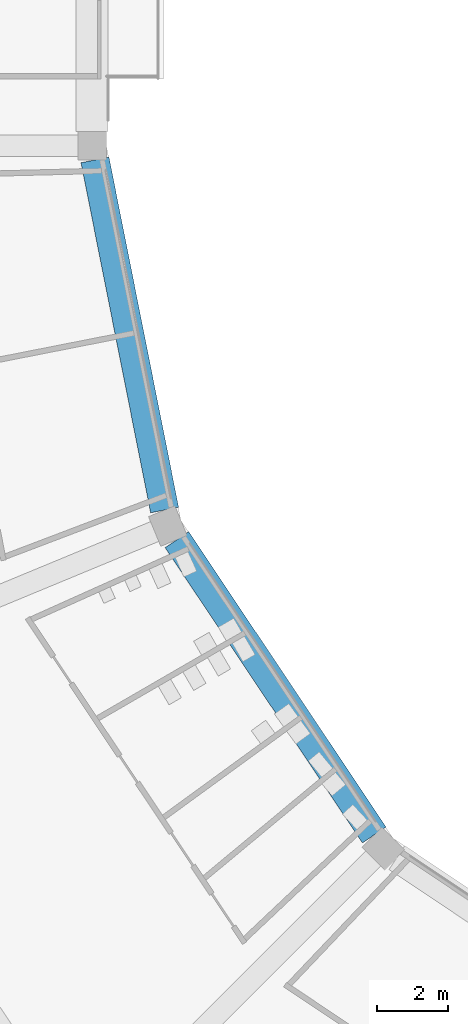
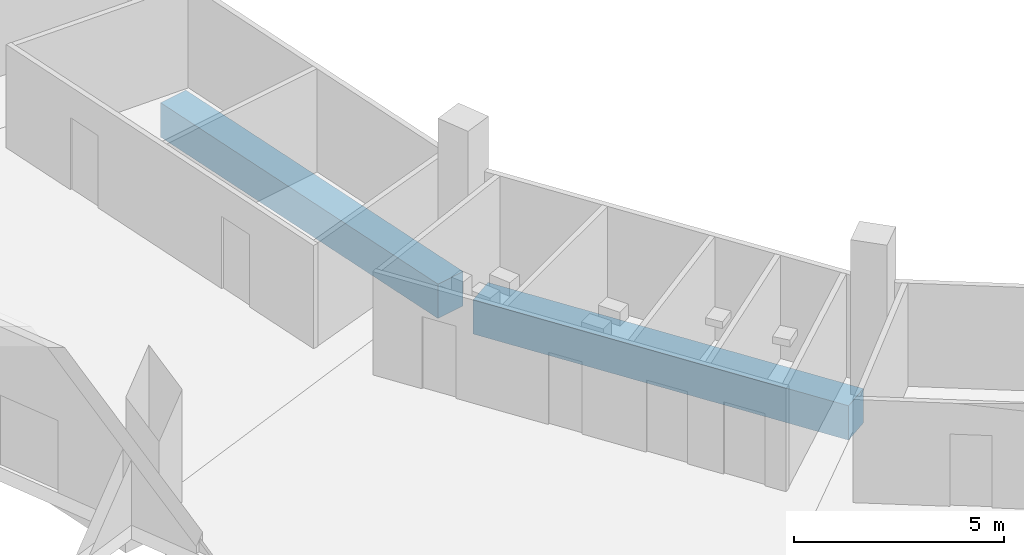
# One storey, part 9 of 199: 2 beams.
"""IFC4 building model written with IfcOpenShell, lengths in metres."""

from ifc_helpers import new_model, si_unit, direction, frame, origin, origin_2d, place, context, subcontext, project, spatial, rectangle, extrude, material, material_profile, profile_set, type_object, element, save


model = new_model("IFC4")

# Units and contexts
model_context = context("Model", 3, precision=1e-05, world=origin(), true_north=direction((0.0, 1.0)))
body_context = subcontext(model_context, "Body", "Model", "MODEL_VIEW")
ifc_project = project(units=[si_unit("LENGTHUNIT", "METRE"), si_unit("AREAUNIT", "SQUARE_METRE"), si_unit("VOLUMEUNIT", "CUBIC_METRE"), si_unit("PLANEANGLEUNIT", "RADIAN"), si_unit("MASSUNIT", "GRAM", prefix="KILO")], contexts=[model_context])

# Site, building, storey
site_placement = place(None, origin())
site = spatial("IfcSite", under=ifc_project, at=site_placement, CompositionType="ELEMENT")
building_placement = place(site_placement, origin())
building = spatial("IfcBuilding", under=site, at=building_placement, Name="Ogive Plaza Stadium", CompositionType="ELEMENT")
storey_placement = place(building_placement, frame((0.0, 0.0, 9.0)))
storey = spatial("IfcBuildingStorey", under=building, at=storey_placement, Name="L02", CompositionType="ELEMENT", Elevation=9.0)

# Beams
ifc_material = material(Name="Concrete C40/50", Category="concrete")
ifc_material_profile = material_profile(ifc_material, rectangle(XDim=0.800048828125, YDim=1.0, at=origin_2d()), Name="RC 800x1000")
ifc_profile_set = profile_set([ifc_material_profile], Name="Concrete C40/50")
beam_type = type_object("IfcBeamType", Name="RC ring beam 800x1000", PredefinedType="BEAM", material=ifc_profile_set)
beam_1_placement = place(storey_placement, frame((-53.983154296875, -71.8466796875, -0.909912109375), z_axis=(-0.555570290949, 0.831469573595, 0.0), x_axis=(-0.831469573595, -0.555570290949, 0.0)))
element("IfcBeam", 1, at=beam_1_placement, inside=storey, type_object=beam_type, Name="Ring beam F3 L02 B19", PredefinedType="BEAM", context=body_context, shape_type="SweptSolid", body=[
    extrude(rectangle(XDim=0.800048828125, YDim=1.0, at=origin_2d()), origin(), (0.0, 0.0, 1.0), 9.96826171875),
])
beam_2_placement = place(storey_placement, frame((-59.86572265625, -62.726806640625, -0.909912109375), z_axis=(-0.195103876937, 0.980782584064, 0.0), x_axis=(-0.980782584064, -0.195103876937, 0.0)))
element("IfcBeam", 2, at=beam_2_placement, inside=storey, type_object=beam_type, Name="Ring beam F3 L02 B20", PredefinedType="BEAM", context=body_context, shape_type="SweptSolid", body=[
    extrude(rectangle(XDim=0.800048828125, YDim=1.0, at=origin_2d()), origin(), (0.0, 0.0, 1.0), 10.01953125),
])

save(model, "model.ifc")
